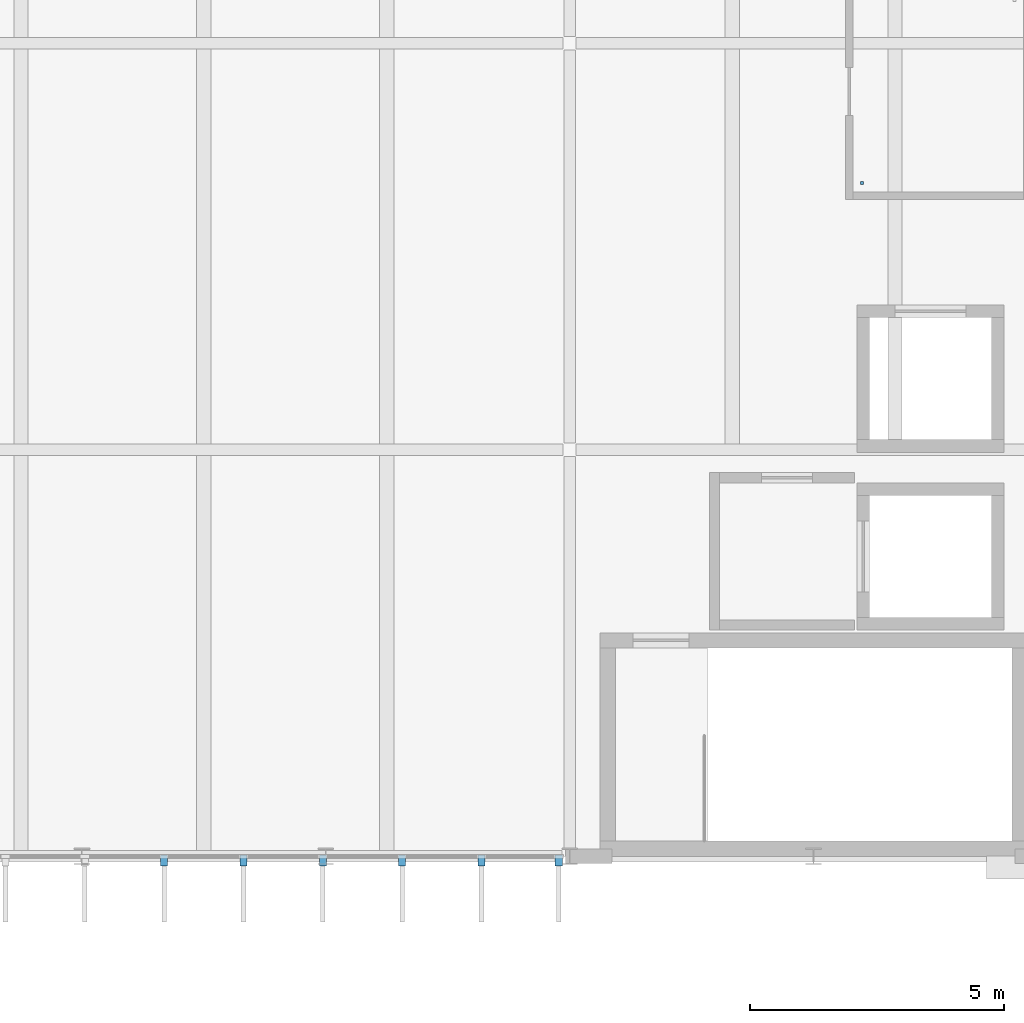
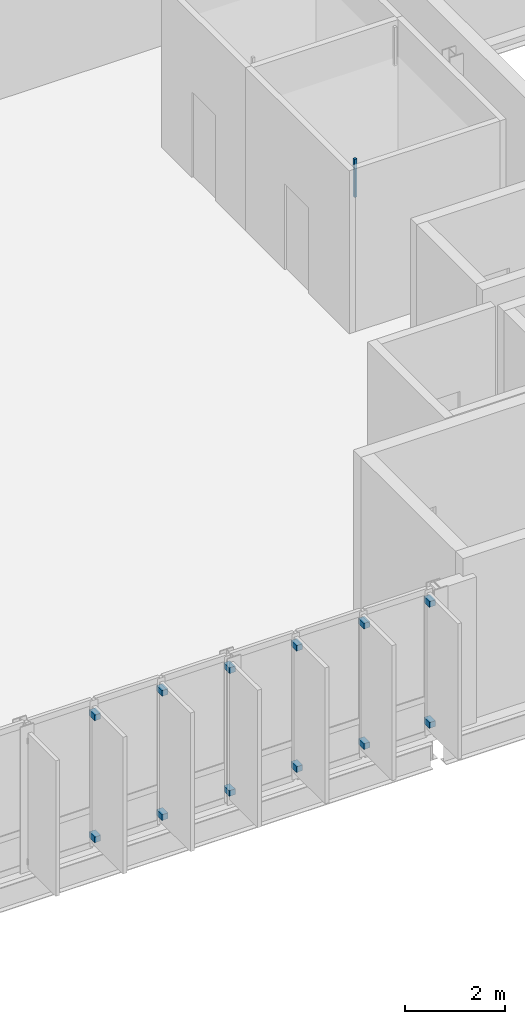
# One storey, part 16 of 22: 13 discrete accessories.
"""IFC4 building model written with IfcOpenShell, lengths in metres."""

from ifc_helpers import new_model, si_unit, direction, frame, origin, origin_2d, place, context, subcontext, project, spatial, polyline, rectangle, outline, extrude, material, type_object, element, save


model = new_model("IFC4")

# Units and contexts
model_context = context("Model", 3, precision=1e-05, world=origin(), true_north=direction((0.0, 1.0)))
body_context = subcontext(model_context, "Body", "Model", "MODEL_VIEW")
ifc_project = project(units=[si_unit("LENGTHUNIT", "METRE"), si_unit("AREAUNIT", "SQUARE_METRE"), si_unit("VOLUMEUNIT", "CUBIC_METRE"), si_unit("PLANEANGLEUNIT", "RADIAN"), si_unit("MASSUNIT", "GRAM", prefix="KILO")], contexts=[model_context])

# Site, building, storey
site_placement = place(None, origin())
site = spatial("IfcSite", under=ifc_project, at=site_placement, CompositionType="ELEMENT")
building_placement = place(site_placement, origin())
building = spatial("IfcBuilding", under=site, at=building_placement, Name="Dunescarp Central Library", CompositionType="ELEMENT")
storey_placement = place(building_placement, frame((0.0, 0.0, 27.60009765625)))
storey = spatial("IfcBuildingStorey", under=building, at=storey_placement, Name="L06", CompositionType="ELEMENT", Elevation=27.60009765625)

# Discrete accessories
ifc_material = material(Name="Stainless steel Grade 316L", Category="steel")
discrete_accessory_type = type_object("IfcDiscreteAccessoryType", Name="ARC-ACC-BRK", PredefinedType="BRACKET", material=ifc_material)
for number, where, z_axis, x_axis, name in (
    (1, (23.784912109375, 4.719970703125, 0.27685546875), (0.0, 0.0, 1.0), (0.0, -1.0, 0.0), "Fin bracket BRK-FIN-L06-0273-B"),
    (2, (23.784912109375, 4.719970703125, 3.2451171875), (0.0, 0.0, 1.0), (0.0, -1.0, 0.0), "Fin bracket BRK-FIN-L06-0273-T"),
    (3, (22.263916015625, 4.719970703125, 0.2900390625), (0.0, 0.0, 1.0), (0.0, -1.0, 0.0), "Fin bracket BRK-FIN-L06-0274-B"),
    (4, (22.263916015625, 4.719970703125, 3.2451171875), (0.0, 0.0, 1.0), (0.0, -1.0, 0.0), "Fin bracket BRK-FIN-L06-0274-T"),
    (5, (20.702880859375, 4.719970703125, 0.27392578125), (0.0, 0.0, 1.0), (0.0, -1.0, 0.0), "Fin bracket BRK-FIN-L06-0275-B"),
    (6, (20.702880859375, 4.719970703125, 3.2451171875), (0.0, 0.0, 1.0), (0.0, -1.0, 0.0), "Fin bracket BRK-FIN-L06-0275-T"),
    (7, (19.14208984375, 4.719970703125, 0.23291015625), (0.0, 0.0, 1.0), (0.0, -1.0, 0.0), "Fin bracket BRK-FIN-L06-0276-B"),
    (8, (19.14208984375, 4.719970703125, 3.2451171875), (0.0, 0.0, 1.0), (0.0, -1.0, 0.0), "Fin bracket BRK-FIN-L06-0276-T"),
    (9, (17.5810546875, 4.719970703125, 0.18994140625), (0.0, 0.0, 1.0), (0.0, -1.0, 0.0), "Fin bracket BRK-FIN-L06-0277-B"),
    (10, (17.5810546875, 4.719970703125, 3.23388671875), (0.0, 0.0, 1.0), (0.0, -1.0, 0.0), "Fin bracket BRK-FIN-L06-0277-T"),
    (11, (16.01904296875, 4.719970703125, 0.18994140625), (0.0, 0.0, 1.0), (0.0, -1.0, 0.0), "Fin bracket BRK-FIN-L06-0278-B"),
    (12, (16.01904296875, 4.719970703125, 3.18408203125), (0.0, 0.0, 1.0), (0.0, -1.0, 0.0), "Fin bracket BRK-FIN-L06-0278-T"),
):
    element("IfcDiscreteAccessory", number, at=place(storey_placement, frame(where, z_axis=z_axis, x_axis=x_axis)), inside=storey, type_object=discrete_accessory_type, Name=name, PredefinedType="BRACKET", context=body_context, shape_type="SweptSolid", body=[
        extrude(rectangle(XDim=0.219970703125, YDim=0.139892578125, at=origin_2d()), origin(), (0.0, 0.0, 1.0), 0.139892578125),
    ])
discrete_accessory_placement = place(storey_placement, frame((0.0, 0.0, 3.059814453125)))
element("IfcDiscreteAccessory", 13, at=discrete_accessory_placement, inside=storey, type_object=discrete_accessory_type, Name="L06 ceiling hanger CLG-L06-041-H1", PredefinedType="BRACKET", context=body_context, shape_type="SweptSolid", body=[
    extrude(outline(polyline([(29.719970703125, 18.02001953125), (29.780029296875, 18.02001953125), (29.780029296875, 18.080078125), (29.719970703125, 18.080078125), (29.719970703125, 18.02001953125)])), origin(), (0.0, 0.0, 1.0), 0.940185546875),
])

save(model, "model.ifc")
